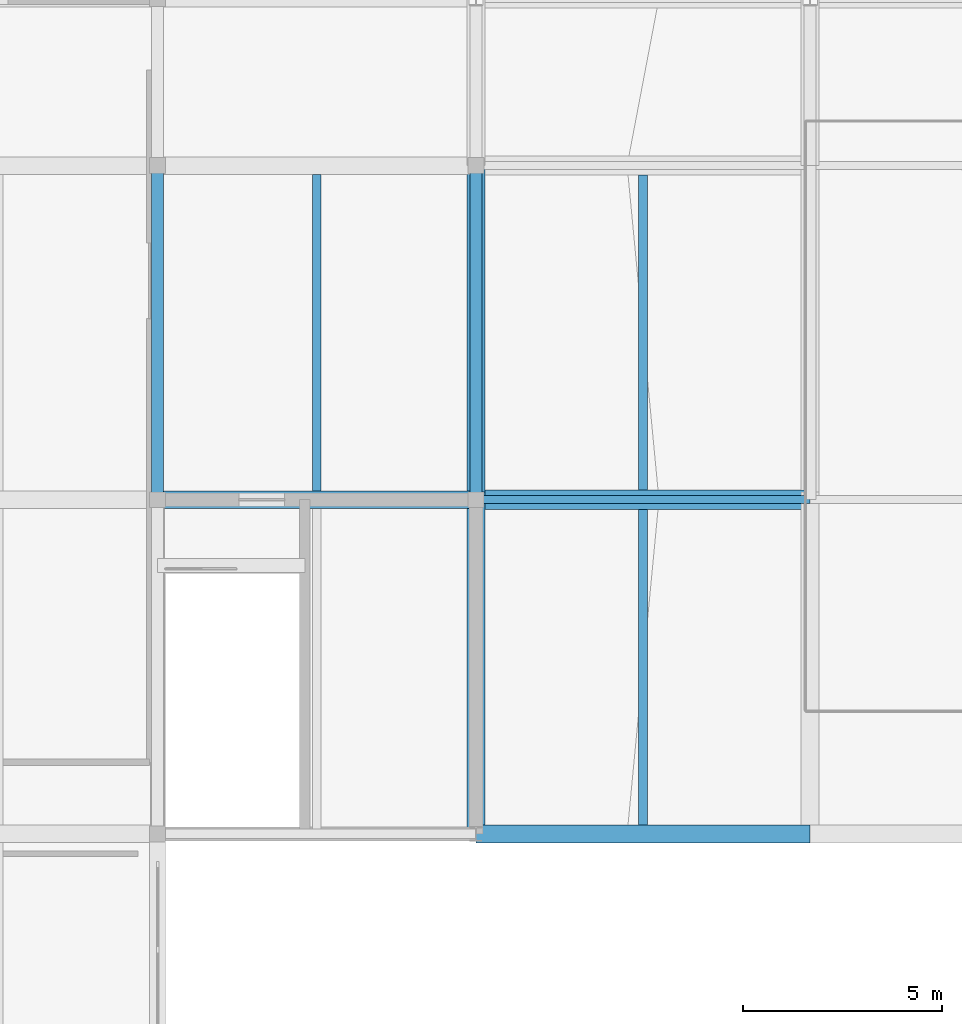
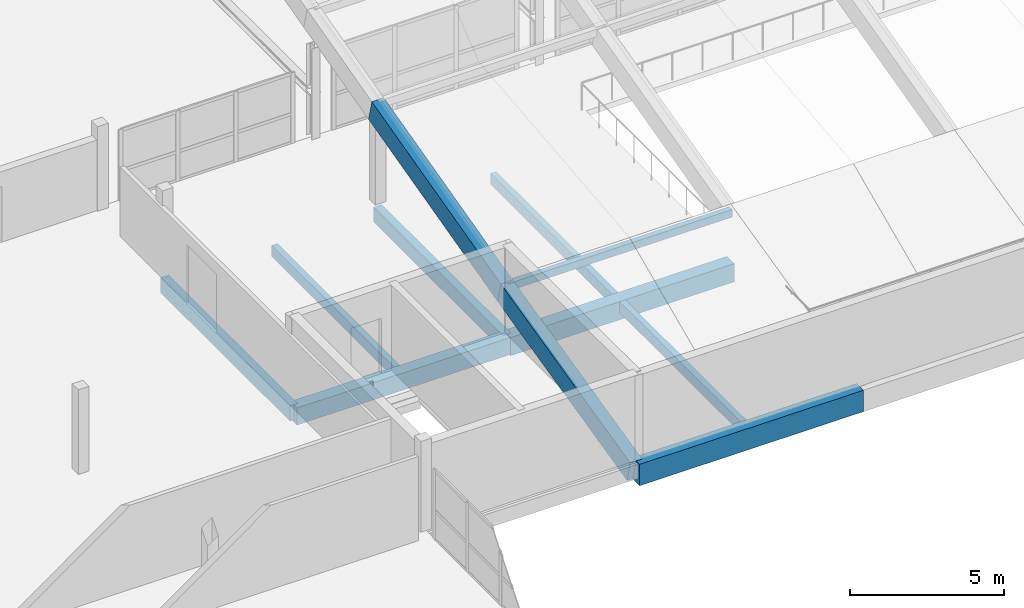
# One storey, part 22 of 51: 10 beams, 1 member.
"""IFC4 building model written with IfcOpenShell, lengths in metres."""

from ifc_helpers import new_model, si_unit, direction, frame, origin, origin_2d, place, context, subcontext, project, spatial, rectangle, hollow_rectangle, extrude, material, material_profile, profile_set, type_object, element, save


model = new_model("IFC4")

# Units and contexts
model_context = context("Model", 3, precision=1e-05, world=origin(), true_north=direction((0.0, 1.0)))
body_context = subcontext(model_context, "Body", "Model", "MODEL_VIEW")
ifc_project = project(units=[si_unit("LENGTHUNIT", "METRE"), si_unit("AREAUNIT", "SQUARE_METRE"), si_unit("VOLUMEUNIT", "CUBIC_METRE"), si_unit("PLANEANGLEUNIT", "RADIAN"), si_unit("MASSUNIT", "GRAM", prefix="KILO")], contexts=[model_context])

# Site, building, storey
site_placement = place(None, origin())
site = spatial("IfcSite", under=ifc_project, at=site_placement, CompositionType="ELEMENT")
building_placement = place(site_placement, origin())
building = spatial("IfcBuilding", under=site, at=building_placement, Name="Vharandega Faculty of Natural Sciences", CompositionType="ELEMENT")
storey_placement = place(building_placement, frame((0.0, 0.0, 18.0)))
storey = spatial("IfcBuildingStorey", under=building, at=storey_placement, Name="L04", CompositionType="ELEMENT", Elevation=18.0)

# Beams
ifc_material_1 = material(Name="Glulam GL28h", Category="wood")
ifc_material_profile_1 = material_profile(ifc_material_1, rectangle(XDim=0.300048828125, YDim=0.60009765625, at=origin_2d()), Name="GL28h 300x600")
ifc_profile_set_1 = profile_set([ifc_material_profile_1], Name="Glulam GL28h")
beam_type_1 = type_object("IfcBeamType", Name="Glulam Floor Beam 300x600", PredefinedType="BEAM", material=ifc_profile_set_1)
for number, where, z_axis, x_axis, name in (
    (1, (48.0, 72.39990234375, -0.52001953125), (0.0, 1.0, 0.0), (-1.0, 0.0, 0.0), "Beam L04 7/K-L"),
    (2, (56.0, 72.39990234375, -0.52001953125), (0.0, 1.0, 0.0), (-1.0, 0.0, 0.0), "Beam L04 8/K-L"),
):
    element("IfcBeam", number, at=place(storey_placement, frame(where, z_axis=z_axis, x_axis=x_axis)), inside=storey, type_object=beam_type_1, Name=name, PredefinedType="BEAM", context=body_context, shape_type="SweptSolid", body=[
        extrude(rectangle(XDim=0.300048828125, YDim=0.60009765625, at=origin_2d()), origin(), (0.0, 0.0, 1.0), 8.400146484375),
    ])
ifc_material_2 = material(Name="Glulam GL32h", Category="wood")
ifc_material_profile_2 = material_profile(ifc_material_2, rectangle(XDim=0.43994140625, YDim=0.679931640625, at=origin_2d()), Name="GL32h 440x680")
ifc_profile_set_2 = profile_set([ifc_material_profile_2], Name="Glulam GL32h")
beam_type_2 = type_object("IfcBeamType", Name="Glulam Girder 440x680", PredefinedType="BEAM", material=ifc_profile_set_2)
beam_1_placement = place(storey_placement, frame((48.0, 72.39990234375, -0.56005859375), z_axis=(1.0, 0.0, 0.0), x_axis=(0.0, 1.0, 0.0)))
element("IfcBeam", 3, at=beam_1_placement, inside=storey, type_object=beam_type_2, Name="Beam L04 K/7-8", PredefinedType="BEAM", context=body_context, shape_type="SweptSolid", body=[
    extrude(rectangle(XDim=0.43994140625, YDim=0.679931640625, at=origin_2d()), origin(), (0.0, 0.0, 1.0), 8.0),
])
ifc_material_3 = material(Name="Glulam GL32h", Category="wood")
ifc_material_profile_3 = material_profile(ifc_material_3, rectangle(XDim=0.47998046875, YDim=0.719970703125, at=origin_2d()), Name="GL32h 480x720")
ifc_profile_set_3 = profile_set([ifc_material_profile_3], Name="Glulam GL32h")
beam_type_3 = type_object("IfcBeamType", Name="Glulam Primary Girder 480x720", PredefinedType="BEAM", material=ifc_profile_set_3)
beam_2_placement = place(storey_placement, frame((56.0, 72.39990234375, -0.580078125), z_axis=(1.0, 0.0, 0.0), x_axis=(0.0, 1.0, 0.0)))
element("IfcBeam", 4, at=beam_2_placement, inside=storey, type_object=beam_type_3, Name="Beam L04 K/8-9", PredefinedType="BEAM", context=body_context, shape_type="SweptSolid", body=[
    extrude(rectangle(XDim=0.47998046875, YDim=0.719970703125, at=origin_2d()), origin(), (0.0, 0.0, 1.0), 8.39990234375),
])
ifc_material_4 = material(Name="Glulam GL28h", Category="wood")
ifc_material_profile_4 = material_profile(ifc_material_4, rectangle(XDim=0.219970703125, YDim=0.43994140625, at=origin_2d()), Name="GL28h 220x440")
ifc_profile_set_4 = profile_set([ifc_material_profile_4], Name="Glulam GL28h")
beam_type_4 = type_object("IfcBeamType", Name="Glulam Secondary Joist 220x440", PredefinedType="JOIST", material=ifc_profile_set_4)
beam_3_placement = place(storey_placement, frame((52.0, 72.6201171875, -0.43994140625), z_axis=(0.0, 1.0, 0.0), x_axis=(-1.0, 0.0, 0.0)))
element("IfcBeam", 5, at=beam_3_placement, inside=storey, type_object=beam_type_4, Name="Secondary Joist L04 7-8/K-L", PredefinedType="JOIST", context=body_context, shape_type="SweptSolid", body=[
    extrude(rectangle(XDim=0.219970703125, YDim=0.43994140625, at=origin_2d()), origin(), (0.0, 0.0, 1.0), 7.9599609375),
])
beam_4_placement = place(storey_placement, frame((60.199951171875, 64.22509765625, -0.43994140625), z_axis=(0.0, 1.0, 0.0), x_axis=(-1.0, 0.0, 0.0)))
element("IfcBeam", 6, at=beam_4_placement, inside=storey, type_object=beam_type_4, Name="Secondary Joist L04 8-9/J-K", PredefinedType="JOIST", context=body_context, shape_type="SweptSolid", body=[
    extrude(rectangle(XDim=0.219970703125, YDim=0.43994140625, at=origin_2d()), origin(), (0.0, 0.0, 1.0), 7.934814453125),
])
beam_5_placement = place(storey_placement, frame((60.199951171875, 72.639892578125, -0.43994140625), z_axis=(0.0, 1.0, 0.0), x_axis=(-1.0, 0.0, 0.0)))
element("IfcBeam", 7, at=beam_5_placement, inside=storey, type_object=beam_type_4, Name="Secondary Joist L04 8-9/K-L", PredefinedType="JOIST", context=body_context, shape_type="SweptSolid", body=[
    extrude(rectangle(XDim=0.219970703125, YDim=0.43994140625, at=origin_2d()), origin(), (0.0, 0.0, 1.0), 7.920166015625),
])
ifc_material_5 = material(Name="Concrete C40/50", Category="concrete")
ifc_material_profile_5 = material_profile(ifc_material_5, rectangle(XDim=0.449951171875, YDim=0.85009765625, at=origin_2d()), Name="RC 450x850")
ifc_profile_set_5 = profile_set([ifc_material_profile_5], Name="Concrete C40/50")
beam_type_5 = type_object("IfcBeamType", Name="Shell Arch Rib Beam 450x850", PredefinedType="BEAM", material=ifc_profile_set_5)
beam_6_placement = place(storey_placement, frame((56.0, 64.098388671875, -0.573486328125), z_axis=(0.0, 0.97280712477, 0.231616704918), x_axis=(-1.0, 0.0, 0.0)))
element("IfcBeam", 8, at=beam_6_placement, inside=storey, type_object=beam_type_5, Name="Conoidal Shell Arch Rib 8-1", PredefinedType="BEAM", context=body_context, shape_type="SweptSolid", body=[
    extrude(rectangle(XDim=0.449951171875, YDim=0.85009765625, at=origin_2d()), origin(), (0.0, 0.0, 1.0), 8.635009765625),
])
beam_7_placement = place(storey_placement, frame((56.0, 72.50537109375, 1.42822265625), z_axis=(0.0, 0.968765746735, 0.247977676321), x_axis=(-1.0, 0.0, 0.0)))
element("IfcBeam", 9, at=beam_7_placement, inside=storey, type_object=beam_type_5, Name="Conoidal Shell Arch Rib 8-2", PredefinedType="BEAM", context=body_context, shape_type="SweptSolid", body=[
    extrude(rectangle(XDim=0.449951171875, YDim=0.85009765625, at=origin_2d()), origin(), (0.0, 0.0, 1.0), 8.670654296875),
])
ifc_material_6 = material(Name="Concrete C40/50", Category="concrete")
ifc_material_profile_6 = material_profile(ifc_material_6, rectangle(XDim=0.449951171875, YDim=0.85009765625, at=origin_2d()), Name="RC 450x850")
ifc_profile_set_6 = profile_set([ifc_material_profile_6], Name="Concrete C40/50")
beam_type_6 = type_object("IfcBeamType", Name="Shell Edge Beam 450x850", PredefinedType="BEAM", material=ifc_profile_set_6)
beam_8_placement = place(storey_placement, frame((56.0, 64.0, -0.5849609375), z_axis=(1.0, 0.0, 0.0), x_axis=(0.0, 1.0, 0.0)))
element("IfcBeam", 10, at=beam_8_placement, inside=storey, type_object=beam_type_6, Name="Shell Edge Beam B1-0", PredefinedType="BEAM", context=body_context, shape_type="SweptSolid", body=[
    extrude(rectangle(XDim=0.449951171875, YDim=0.85009765625, at=origin_2d()), origin(), (0.0, 0.0, 1.0), 8.39990234375),
])

# Member
ifc_material_7 = material(Name="Steel S355", Category="steel")
ifc_material_profile_7 = material_profile(ifc_material_7, hollow_rectangle(XDim=0.199951171875, YDim=0.300048828125, WallThickness=0.012451171875, at=origin_2d()), Name="RHS 300x200x12.5")
ifc_profile_set_7 = profile_set([ifc_material_profile_7], Name="Steel S355")
member_type = type_object("IfcMemberType", Name="Shell Roof Purlin RHS 300x200", PredefinedType="PURLIN", material=ifc_profile_set_7)
member_placement = place(storey_placement, frame((56.0, 72.39990234375, 1.68994140625), z_axis=(1.0, 0.0, 0.0), x_axis=(0.0, 1.0, 0.0)))
element("IfcMember", 11, at=member_placement, inside=storey, type_object=member_type, Name="Shell Roof Purlin B1-1", PredefinedType="PURLIN", context=body_context, shape_type="SweptSolid", body=[
    extrude(hollow_rectangle(XDim=0.199951171875, YDim=0.300048828125, WallThickness=0.012451171875, at=origin_2d()), origin(), (0.0, 0.0, 1.0), 8.39990234375),
])

save(model, "model.ifc")
